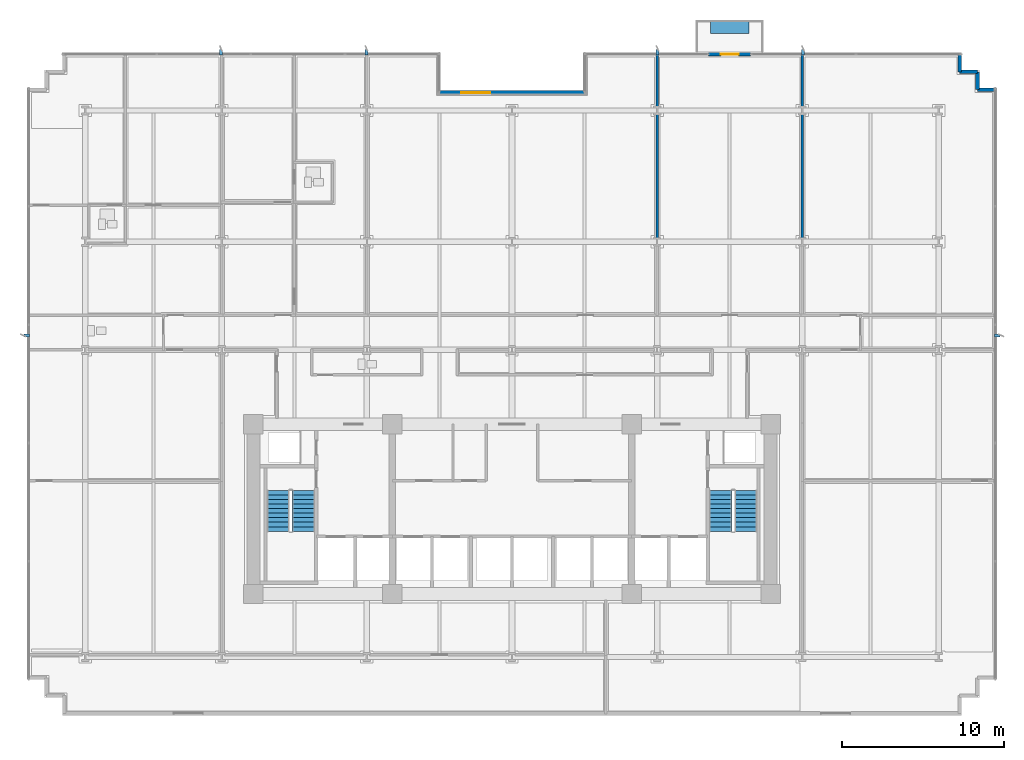
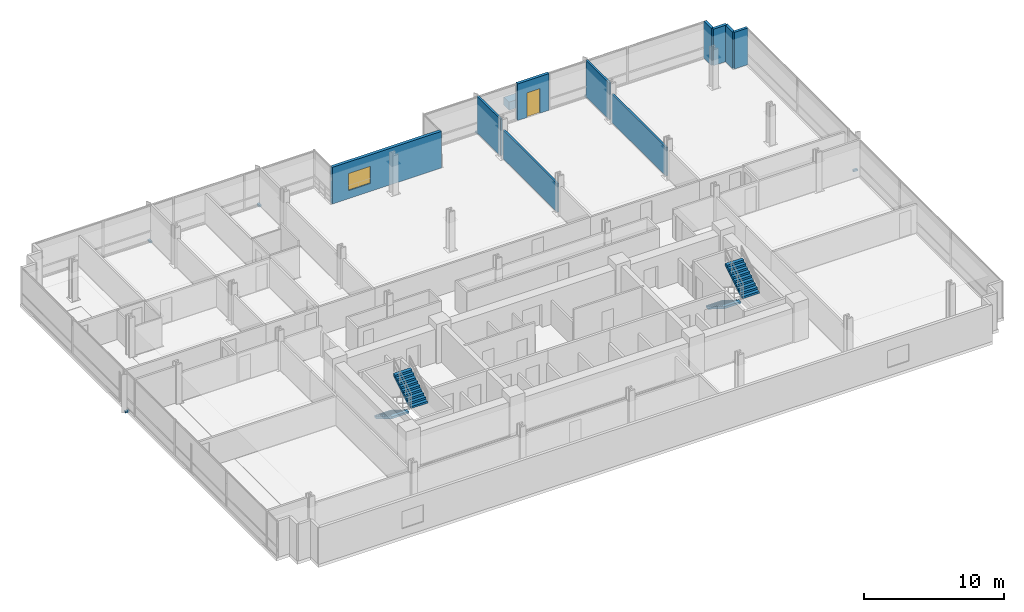
# One storey, part 15 of 21: 10 walls, 7 discrete accessories, 4 stair flights, 1 door, 1 window, 2 openings, 2 elements without a shape of their own.
"""IFC4 building model written with IfcOpenShell, lengths in metres."""

from ifc_helpers import new_model, si_unit, direction, frame, frame_2d, origin, origin_2d, place, context, subcontext, project, spatial, polyline, rectangle, outline, extrude, material, layer, layer_set, type_object, element, fill, aggregate, save


model = new_model("IFC4")

# Units and contexts
model_context = context("Model", 3, precision=1e-05, world=origin(), true_north=direction((0.0, 1.0)))
body_context = subcontext(model_context, "Body", "Model", "MODEL_VIEW")
ifc_project = project(units=[si_unit("LENGTHUNIT", "METRE"), si_unit("AREAUNIT", "SQUARE_METRE"), si_unit("VOLUMEUNIT", "CUBIC_METRE"), si_unit("PLANEANGLEUNIT", "RADIAN"), si_unit("MASSUNIT", "GRAM", prefix="KILO")], contexts=[model_context])

# Site, building, storey
site_placement = place(None, origin())
site = spatial("IfcSite", under=ifc_project, at=site_placement, CompositionType="ELEMENT")
building_placement = place(site_placement, origin())
building = spatial("IfcBuilding", under=site, at=building_placement, Name="Solmavex Isthmus Hotel", CompositionType="ELEMENT")
storey_placement = place(building_placement, frame((0.0, 0.0, 60.89990234375)))
storey = spatial("IfcBuildingStorey", under=building, at=storey_placement, Name="L16", CompositionType="ELEMENT", Elevation=60.89990234375)

# Wall, opening, window
ifc_material_1 = material(Name="Precast Concrete C40/50", Category="concrete")
ifc_layer_1 = layer(ifc_material_1, 0.25)
ifc_layer_set_1 = layer_set([ifc_layer_1], Name="Precast Concrete C40/50")
wall_type_1 = type_object("IfcWallType", Name="EW-TWR-250", PredefinedType="STANDARD", material=ifc_layer_set_1)
wall_1_placement = place(storey_placement, frame((-4.5, 18.0, 0.0), z_axis=(0.0, 0.0, 1.0), x_axis=(1.0, 0.0, 0.0)))
wall_1 = element("IfcWall", 1, at=wall_1_placement, inside=storey, type_object=wall_type_1, Name="Sky Garden Back Facade Wall L16", PredefinedType="STANDARD", context=body_context, shape_type="SweptSolid", body=[
    extrude(rectangle(XDim=9.0, YDim=0.25, at=frame_2d((4.5, 0.0))), origin(), (0.0, 0.0, 1.0), 3.190185546875),
])
opening_1_placement = place(wall_1_placement, frame((1.35009765625, 0.0, 0.699951171875)))
opening_1 = element("IfcOpeningElement", 2, at=opening_1_placement, cuts=wall_1, Name="Opening WN-02", PredefinedType="OPENING", context=body_context, shape_type="SweptSolid", body=[
    extrude(rectangle(XDim=1.800048828125, YDim=1.5, at=frame_2d((0.89990234375, 0.75))), frame((0.0, 0.135009765625, 0.0), z_axis=(0.0, -1.0, 0.0), x_axis=(1.0, 0.0, 0.0)), (0.0, 0.0, 1.0), 0.27001953125),
])
ifc_material_2 = material(Name="Clear low-E laminated glass", Category="glass")
window_type = type_object("IfcWindowType", Name="WIN-TWR-1800", PartitioningType="SINGLE_PANEL", PredefinedType="WINDOW", material=ifc_material_2)
window_placement = place(opening_1_placement, origin())
window = element("IfcWindow", 3, at=window_placement, inside=storey, type_object=window_type, Name="Sky Garden Overlook Window L16", OverallHeight=1.5, OverallWidth=1.800048828125, PartitioningType="SINGLE_PANEL", PredefinedType="WINDOW", context=body_context, shape_type="SweptSolid", body=[
    extrude(rectangle(XDim=1.800048828125, YDim=1.5, at=frame_2d((0.89990234375, 0.75))), frame((0.0, 0.030029296875, 0.0), z_axis=(0.0, -1.0, 0.0), x_axis=(1.0, 0.0, 0.0)), (0.0, 0.0, 1.0), 0.06005859375),
])
fill(opening_1, window)

# Wall, opening, door
wall_2_placement = place(storey_placement, frame((12.1640625, 20.3798828125, 0.0), z_axis=(0.0, 0.0, 1.0), x_axis=(1.0, 0.0, 0.0)))
wall_2 = element("IfcWall", 4, at=wall_2_placement, inside=storey, type_object=wall_type_1, Name="Exterior Balcony Door Wall L16-3", PredefinedType="STANDARD", context=body_context, shape_type="SweptSolid", body=[
    extrude(rectangle(XDim=2.599853515625, YDim=0.239990234375, at=frame_2d((1.2998046875, 0.0))), origin(), (0.0, 0.0, 1.0), 3.190185546875),
])
opening_2_placement = place(wall_2_placement, frame((0.75, 0.0, 0.0)))
opening_2 = element("IfcOpeningElement", 5, at=opening_2_placement, cuts=wall_2, Name="Opening ED-02", PredefinedType="OPENING", context=body_context, shape_type="SweptSolid", body=[
    extrude(rectangle(XDim=1.10009765625, YDim=2.14990234375, at=frame_2d((0.550048828125, 1.074951171875))), frame((0.0, 0.1298828125, 0.0), z_axis=(0.0, -1.0, 0.0), x_axis=(1.0, 0.0, 0.0)), (0.0, 0.0, 1.0), 0.260009765625),
])
ifc_material_3 = material(Name="Aluminium alloy 6063-T6", Category="aluminium")
door_type = type_object("IfcDoorType", Name="EDR-BALC-1100", OperationType="NOTDEFINED", PredefinedType="DOOR", material=ifc_material_3)
door_placement = place(opening_2_placement, origin())
door = element("IfcDoor", 6, at=door_placement, inside=storey, type_object=door_type, Name="Balcony & Terrace Glazed Door L16-3", OperationType="SINGLE_SWING_LEFT", OverallHeight=2.14990234375, OverallWidth=1.10009765625, PredefinedType="DOOR", context=body_context, shape_type="SweptSolid", body=[
    extrude(rectangle(XDim=1.10009765625, YDim=2.14990234375, at=frame_2d((0.550048828125, 1.074951171875))), frame((0.0, 0.02490234375, 0.0), z_axis=(0.0, -1.0, 0.0), x_axis=(1.0, 0.0, 0.0)), (0.0, 0.0, 1.0), 0.050048828125),
])
fill(opening_2, door)

# Walls
wall_3_placement = place(storey_placement, frame((27.68994140625, 20.389892578125, 0.0), z_axis=(0.0, 0.0, 1.0), x_axis=(0.0, -1.0, 0.0)))
element("IfcWall", 7, at=wall_3_placement, inside=storey, type_object=wall_type_1, Name="Serrated Corner Facade Panel L16-11", PredefinedType="STANDARD", context=body_context, shape_type="SweptSolid", body=[
    extrude(rectangle(XDim=1.099853515625, YDim=0.219970703125, at=frame_2d((0.5498046875, 0.0))), origin(), (0.0, 0.0, 1.0), 3.190185546875),
])
for number, where, z_axis, x_axis, name in (
    (8, (27.68994140625, 19.2900390625, 0.0), (0.0, 0.0, 1.0), (1.0, 0.0, 0.0), "Serrated Corner Facade Panel L16-12"),
    (9, (28.7900390625, 19.2900390625, 0.0), (0.0, 0.0, 1.0), (0.0, -1.0, 0.0), "Serrated Corner Facade Panel L16-13"),
):
    element("IfcWall", number, at=place(storey_placement, frame(where, z_axis=z_axis, x_axis=x_axis)), inside=storey, type_object=wall_type_1, Name=name, PredefinedType="STANDARD", context=body_context, shape_type="SweptSolid", body=[
        extrude(rectangle(XDim=1.10009765625, YDim=0.219970703125, at=frame_2d((0.550048828125, 0.0))), origin(), (0.0, 0.0, 1.0), 3.190185546875),
    ])
wall_4_placement = place(storey_placement, frame((28.7900390625, 18.18994140625, 0.0), z_axis=(0.0, 0.0, 1.0), x_axis=(1.0, 0.0, 0.0)))
element("IfcWall", 10, at=wall_4_placement, inside=storey, type_object=wall_type_1, Name="Serrated Corner Facade Panel L16-14", PredefinedType="STANDARD", context=body_context, shape_type="SweptSolid", body=[
    extrude(rectangle(XDim=1.099853515625, YDim=0.219970703125, at=frame_2d((0.5498046875, 0.0))), origin(), (0.0, 0.0, 1.0), 3.190185546875),
])
ifc_material_4 = material(Name="Gypsum plasterboard lining", Category="gypsum")
ifc_layer_2 = layer(ifc_material_4, 0.159912109375)
ifc_layer_set_2 = layer_set([ifc_layer_2], Name="Gypsum plasterboard lining")
wall_type_2 = type_object("IfcWallType", Name="IW-COMP-160", PredefinedType="PARTITIONING", material=ifc_layer_set_2)
wall_5_placement = place(storey_placement, frame((8.97607421875, 16.72509765625, 0.0), z_axis=(0.0, 0.0, 1.0), x_axis=(0.0, -1.0, 0.0)))
element("IfcWall", 11, at=wall_5_placement, inside=storey, type_object=wall_type_2, Name="Interior Partition Wall W-L16-P052", PredefinedType="PARTITIONING", context=body_context, shape_type="SweptSolid", body=[
    extrude(rectangle(XDim=7.76220703125, YDim=0.159912109375, at=frame_2d((3.881103515625, 0.0))), origin(), (0.0, 0.0, 1.0), 2.4794921875),
])
wall_6_placement = place(storey_placement, frame((8.97607421875, 20.419921875, 0.0), z_axis=(0.0, 0.0, 1.0), x_axis=(0.0, -1.0, 0.0)))
element("IfcWall", 12, at=wall_6_placement, inside=storey, type_object=wall_type_2, Name="Interior Partition Wall W-L16-P053", PredefinedType="PARTITIONING", context=body_context, shape_type="SweptSolid", body=[
    extrude(rectangle(XDim=3.344970703125, YDim=0.159912109375, at=frame_2d((1.67236328125, 0.0))), origin(), (0.0, 0.0, 1.0), 3.190185546875),
])
wall_7_placement = place(storey_placement, frame((17.951904296875, 16.72509765625, 0.0), z_axis=(0.0, 0.0, 1.0), x_axis=(0.0, -1.0, 0.0)))
element("IfcWall", 13, at=wall_7_placement, inside=storey, type_object=wall_type_2, Name="Interior Partition Wall W-L16-P055", PredefinedType="PARTITIONING", context=body_context, shape_type="SweptSolid", body=[
    extrude(rectangle(XDim=7.76220703125, YDim=0.159912109375, at=frame_2d((3.881103515625, 0.0))), origin(), (0.0, 0.0, 1.0), 2.4794921875),
])
wall_8_placement = place(storey_placement, frame((17.951904296875, 20.419921875, 0.0), z_axis=(0.0, 0.0, 1.0), x_axis=(0.0, -1.0, 0.0)))
element("IfcWall", 14, at=wall_8_placement, inside=storey, type_object=wall_type_2, Name="Interior Partition Wall W-L16-P056", PredefinedType="PARTITIONING", context=body_context, shape_type="SweptSolid", body=[
    extrude(rectangle(XDim=3.344970703125, YDim=0.159912109375, at=frame_2d((1.67236328125, 0.0))), origin(), (0.0, 0.0, 1.0), 3.190185546875),
])

# Stair, stair flights
ifc_material_5 = material(Name="Concrete C40/50", Category="concrete")
stair_type_1 = type_object("IfcStairType", Name="STR-ST-1", PredefinedType="HALF_TURN_STAIR", material=ifc_material_5)
stair_1_placement = place(storey_placement, origin())
stair_1 = element("IfcStair", 15, at=stair_1_placement, inside=storey, type_object=stair_type_1, Name="L16 Protected Exit Stair ST-1", PredefinedType="HALF_TURN_STAIR")
stair_flight_type_1 = type_object("IfcStairFlightType", Name="SFL-ST-1", PredefinedType="STRAIGHT", material=ifc_material_5)
stair_flight_1_placement = place(storey_placement, frame((-14.449951171875, -6.60009765625, 0.0), z_axis=(0.0, 0.0, 1.0), x_axis=(0.0, -1.0, 0.0)))
stair_flight_1 = element("IfcStairFlight", 16, at=stair_flight_1_placement, type_object=stair_flight_type_1, Name="ST-1 flight 1", NumberOfRisers=10, NumberOfTreads=9, PredefinedType="STRAIGHT", RiserHeight=0.1725, TreadLength=0.28, context=body_context, shape_type="SweptSolid", body=[
    extrude(outline(polyline([(0.0, 0.0), (0.0, 0.172607421875), (0.280029296875, 0.172607421875), (0.280029296875, 0.344970703125), (0.56005859375, 0.344970703125), (0.56005859375, 0.517578125), (0.840087890625, 0.517578125), (0.840087890625, 0.68994140625), (1.1201171875, 0.68994140625), (1.1201171875, 0.862548828125), (1.39990234375, 0.862548828125), (1.39990234375, 1.034912109375), (1.679931640625, 1.034912109375), (1.679931640625, 1.20751953125), (1.9599609375, 1.20751953125), (1.9599609375, 1.3798828125), (2.239990234375, 1.3798828125), (2.239990234375, 1.552490234375), (2.52001953125, 1.552490234375), (2.52001953125, 1.72509765625), (2.52001953125, 1.37646484375), (0.285888671875, 0.0), (0.0, 0.0)])), frame((0.0, 0.699951171875, 0.0), z_axis=(0.0, -1.0, 0.0), x_axis=(1.0, 0.0, 0.0)), (0.0, 0.0, 1.0), 1.39990234375),
])
stair_flight_2_placement = place(storey_placement, frame((-12.89990234375, -9.1201171875, 1.72509765625), z_axis=(0.0, 0.0, 1.0), x_axis=(0.0, 1.0, 0.0)))
stair_flight_2 = element("IfcStairFlight", 17, at=stair_flight_2_placement, type_object=stair_flight_type_1, Name="ST-1 flight 2", NumberOfRisers=10, NumberOfTreads=9, PredefinedType="STRAIGHT", RiserHeight=0.1725, TreadLength=0.28, context=body_context, shape_type="SweptSolid", body=[
    extrude(outline(polyline([(0.0, 0.0), (0.0, 0.172607421875), (0.280029296875, 0.172607421875), (0.280029296875, 0.344970703125), (0.56005859375, 0.344970703125), (0.56005859375, 0.517578125), (0.840087890625, 0.517578125), (0.840087890625, 0.68994140625), (1.1201171875, 0.68994140625), (1.1201171875, 0.862548828125), (1.39990234375, 0.862548828125), (1.39990234375, 1.034912109375), (1.679931640625, 1.034912109375), (1.679931640625, 1.20751953125), (1.9599609375, 1.20751953125), (1.9599609375, 1.3798828125), (2.239990234375, 1.3798828125), (2.239990234375, 1.552490234375), (2.52001953125, 1.552490234375), (2.52001953125, 1.72509765625), (2.52001953125, 1.37646484375), (0.285888671875, 0.0), (0.0, 0.0)])), frame((0.0, 0.699951171875, 0.0), z_axis=(0.0, -1.0, 0.0), x_axis=(1.0, 0.0, 0.0)), (0.0, 0.0, 1.0), 1.39990234375),
])
aggregate(stair_1, [stair_flight_1, stair_flight_2])

stair_type_2 = type_object("IfcStairType", Name="STR-ST-2", PredefinedType="HALF_TURN_STAIR", material=ifc_material_5)
stair_2_placement = place(storey_placement, origin())
stair_2 = element("IfcStair", 18, at=stair_2_placement, inside=storey, type_object=stair_type_2, Name="L16 Protected Exit Stair ST-2", PredefinedType="HALF_TURN_STAIR")
stair_flight_type_2 = type_object("IfcStairFlightType", Name="SFL-ST-2", PredefinedType="STRAIGHT", material=ifc_material_5)
stair_flight_3_placement = place(storey_placement, frame((12.89990234375, -6.60009765625, 0.0), z_axis=(0.0, 0.0, 1.0), x_axis=(0.0, -1.0, 0.0)))
stair_flight_3 = element("IfcStairFlight", 19, at=stair_flight_3_placement, type_object=stair_flight_type_2, Name="ST-2 flight 1", NumberOfRisers=10, NumberOfTreads=9, PredefinedType="STRAIGHT", RiserHeight=0.1725, TreadLength=0.28, context=body_context, shape_type="SweptSolid", body=[
    extrude(outline(polyline([(0.0, 0.0), (0.0, 0.172607421875), (0.280029296875, 0.172607421875), (0.280029296875, 0.344970703125), (0.56005859375, 0.344970703125), (0.56005859375, 0.517578125), (0.840087890625, 0.517578125), (0.840087890625, 0.68994140625), (1.1201171875, 0.68994140625), (1.1201171875, 0.862548828125), (1.39990234375, 0.862548828125), (1.39990234375, 1.034912109375), (1.679931640625, 1.034912109375), (1.679931640625, 1.20751953125), (1.9599609375, 1.20751953125), (1.9599609375, 1.3798828125), (2.239990234375, 1.3798828125), (2.239990234375, 1.552490234375), (2.52001953125, 1.552490234375), (2.52001953125, 1.72509765625), (2.52001953125, 1.37646484375), (0.285888671875, 0.0), (0.0, 0.0)])), frame((0.0, 0.699951171875, 0.0), z_axis=(0.0, -1.0, 0.0), x_axis=(1.0, 0.0, 0.0)), (0.0, 0.0, 1.0), 1.39990234375),
])
stair_flight_4_placement = place(storey_placement, frame((14.449951171875, -9.1201171875, 1.72509765625), z_axis=(0.0, 0.0, 1.0), x_axis=(0.0, 1.0, 0.0)))
stair_flight_4 = element("IfcStairFlight", 20, at=stair_flight_4_placement, type_object=stair_flight_type_2, Name="ST-2 flight 2", NumberOfRisers=10, NumberOfTreads=9, PredefinedType="STRAIGHT", RiserHeight=0.1725, TreadLength=0.28, context=body_context, shape_type="SweptSolid", body=[
    extrude(outline(polyline([(0.0, 0.0), (0.0, 0.172607421875), (0.280029296875, 0.172607421875), (0.280029296875, 0.344970703125), (0.56005859375, 0.344970703125), (0.56005859375, 0.517578125), (0.840087890625, 0.517578125), (0.840087890625, 0.68994140625), (1.1201171875, 0.68994140625), (1.1201171875, 0.862548828125), (1.39990234375, 0.862548828125), (1.39990234375, 1.034912109375), (1.679931640625, 1.034912109375), (1.679931640625, 1.20751953125), (1.9599609375, 1.20751953125), (1.9599609375, 1.3798828125), (2.239990234375, 1.3798828125), (2.239990234375, 1.552490234375), (2.52001953125, 1.552490234375), (2.52001953125, 1.72509765625), (2.52001953125, 1.37646484375), (0.285888671875, 0.0), (0.0, 0.0)])), frame((0.0, 0.699951171875, 0.0), z_axis=(0.0, -1.0, 0.0), x_axis=(1.0, 0.0, 0.0)), (0.0, 0.0, 1.0), 1.39990234375),
])
aggregate(stair_2, [stair_flight_3, stair_flight_4])

# Discrete accessories
ifc_material_6 = material(Name="Steel ASTM A572 Grade 50", Category="steel")
discrete_accessory_type_1 = type_object("IfcDiscreteAccessoryType", Name="ACC-BRK-FIN", PredefinedType="BRACKET", material=ifc_material_6)
for number, where, z_axis, x_axis, name in (
    (21, (-18.0, 20.52001953125, -0.169921875), (0.0, 0.0, 1.0), (0.0, 1.0, 0.0), "Facade Fin Support Bracket L16-N1"),
    (22, (-9.0, 20.52001953125, -0.169921875), (0.0, 0.0, 1.0), (0.0, 1.0, 0.0), "Facade Fin Support Bracket L16-N2"),
    (23, (9.0, 20.52001953125, -0.169921875), (0.0, 0.0, 1.0), (0.0, 1.0, 0.0), "Facade Fin Support Bracket L16-N3"),
    (24, (18.0, 20.52001953125, -0.169921875), (0.0, 0.0, 1.0), (0.0, 1.0, 0.0), "Facade Fin Support Bracket L16-N4"),
    (25, (-30.02001953125, 3.0, -0.169921875), (0.0, 0.0, 1.0), (-1.0, 0.0, 0.0), "Facade Fin Support Bracket L16-W1"),
    (26, (30.02001953125, 3.0, -0.169921875), (0.0, 0.0, 1.0), (1.0, 0.0, 0.0), "Facade Fin Support Bracket L16-E1"),
):
    element("IfcDiscreteAccessory", number, at=place(storey_placement, frame(where, z_axis=z_axis, x_axis=x_axis)), inside=storey, type_object=discrete_accessory_type_1, Name=name, PredefinedType="BRACKET", context=body_context, shape_type="SweptSolid", body=[
        extrude(rectangle(XDim=0.340087890625, YDim=0.179931640625, at=origin_2d()), origin(), (0.0, 0.0, 1.0), 0.159912109375),
    ])
discrete_accessory_type_2 = type_object("IfcDiscreteAccessoryType", Name="ACC-PLN-BALC", PredefinedType="USERDEFINED", material=ifc_material_1)
discrete_accessory_placement = place(storey_placement, frame((13.464111328125, 22.050048828125, 0.0), z_axis=(0.0, 0.0, 1.0), x_axis=(1.0, 0.0, 0.0)))
element("IfcDiscreteAccessory", 27, at=discrete_accessory_placement, inside=storey, type_object=discrete_accessory_type_2, Name="Tree-Balcony Architectural Planter L16-B2", ObjectType="PLANTER", PredefinedType="USERDEFINED", context=body_context, shape_type="SweptSolid", body=[
    extrude(rectangle(XDim=2.39990234375, YDim=0.75, at=origin_2d()), origin(), (0.0, 0.0, 1.0), 0.699951171875),
])

save(model, "model.ifc")
